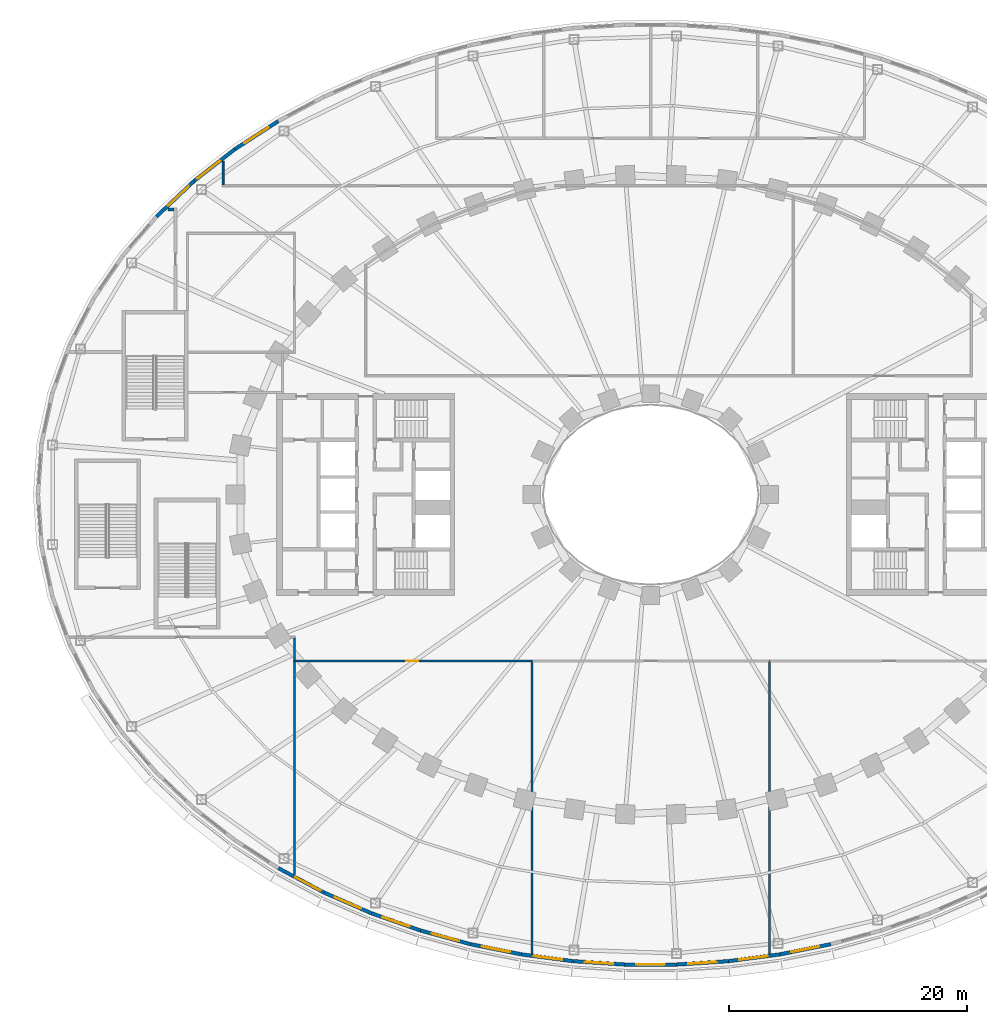
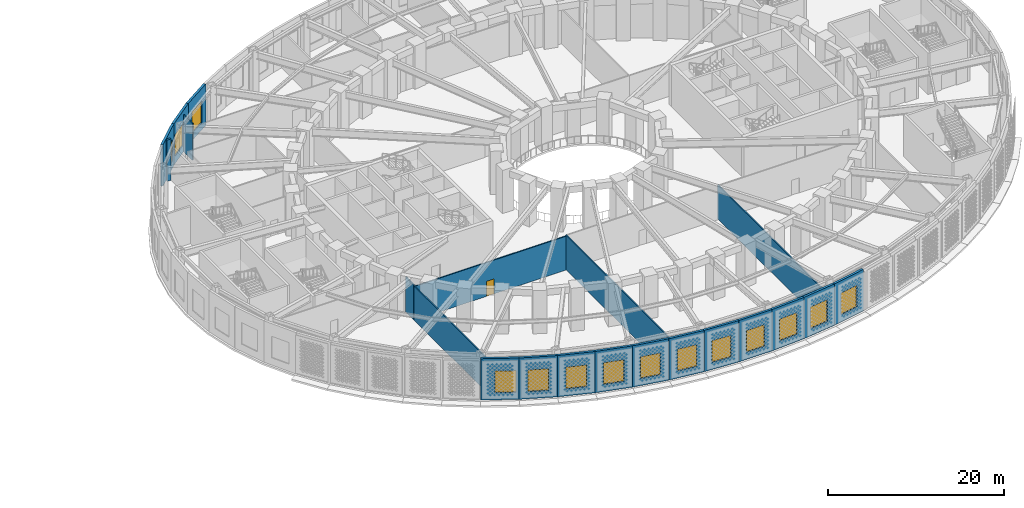
# One storey, part 21 of 74: 21 walls, 14 windows, 1 door, 15 openings.
"""IFC4 building model written with IfcOpenShell, lengths in metres."""

from ifc_helpers import new_model, si_unit, direction, frame, frame_2d, origin, place, context, subcontext, project, spatial, rectangle, extrude, material, layer, layer_set, type_object, element, fill, save


model = new_model("IFC4")

# Units and contexts
model_context = context("Model", 3, precision=1e-05, world=origin(), true_north=direction((0.0, 1.0)))
body_context = subcontext(model_context, "Body", "Model", "MODEL_VIEW")
ifc_project = project(units=[si_unit("LENGTHUNIT", "METRE"), si_unit("AREAUNIT", "SQUARE_METRE"), si_unit("VOLUMEUNIT", "CUBIC_METRE"), si_unit("PLANEANGLEUNIT", "RADIAN"), si_unit("MASSUNIT", "GRAM", prefix="KILO")], contexts=[model_context])

# Site, building, storey
site_placement = place(None, origin())
site = spatial("IfcSite", under=ifc_project, at=site_placement, CompositionType="ELEMENT")
building_placement = place(site_placement, origin())
building = spatial("IfcBuilding", under=site, at=building_placement, Name="Noorbagh Ring Tower", CompositionType="ELEMENT")
storey_placement = place(building_placement, frame((0.0, 0.0, 13.5)))
storey = spatial("IfcBuildingStorey", under=building, at=storey_placement, Name="L02", CompositionType="ELEMENT", Elevation=13.5)

# Wall, opening, window
ifc_material_1 = material(Name="Blockwork faced with red sandstone", Category="masonry")
ifc_layer_1 = layer(ifc_material_1, 0.300048828125)
ifc_layer_set_1 = layer_set([ifc_layer_1], Name="Blockwork faced with red sandstone")
wall_type_1 = type_object("IfcWallType", Name="GND-ENV-WALL", PredefinedType="SOLIDWALL", material=ifc_layer_set_1)
wall_1_placement = place(storey_placement, frame((-31.3515625, 31.448486328125, 0.0), z_axis=(0.0, 0.0, 1.0), x_axis=(-0.840047348843, -0.542513088969, 0.0)))
wall_1 = element("IfcWall", 1, at=wall_1_placement, inside=storey, type_object=wall_type_1, Name="Podium wall", PredefinedType="SOLIDWALL", context=body_context, shape_type="SweptSolid", body=[
    extrude(rectangle(XDim=4.362060546875, YDim=0.300048828125, at=frame_2d((2.18115234375, 0.0))), origin(), (0.0, 0.0, 1.0), 5.75),
])
opening_1_placement = place(wall_1_placement, frame((0.98095703125, 0.0, 1.0)))
opening_1 = element("IfcOpeningElement", 2, at=opening_1_placement, cuts=wall_1, Name="Opening GWN1", PredefinedType="OPENING", context=body_context, shape_type="SweptSolid", body=[
    extrude(rectangle(XDim=2.39990234375, YDim=3.0, at=frame_2d((1.199951171875, 1.5))), frame((0.0, 0.16015625, 0.0), z_axis=(0.0, -1.0, 0.0), x_axis=(1.0, 0.0, 0.0)), (0.0, 0.0, 1.0), 0.320068359375),
])
ifc_material_2 = material(Name="Aluminium and glass", Category="aluminium")
window_type = type_object("IfcWindowType", Name="GND-ENV-WINDOW", PartitioningType="SINGLE_PANEL", PredefinedType="WINDOW", material=ifc_material_2)
window_1_placement = place(opening_1_placement, origin())
window_1 = element("IfcWindow", 3, at=window_1_placement, inside=storey, type_object=window_type, Name="L02 podium window", OverallHeight=3.0, OverallWidth=2.39990234375, PartitioningType="SINGLE_PANEL", PredefinedType="WINDOW", context=body_context, shape_type="SweptSolid", body=[
    extrude(rectangle(XDim=2.39990234375, YDim=3.0, at=frame_2d((1.199951171875, 1.5))), frame((0.0, 0.030029296875, 0.0), z_axis=(0.0, -1.0, 0.0), x_axis=(1.0, 0.0, 0.0)), (0.0, 0.0, 1.0), 0.06005859375),
])
fill(opening_1, window_1)

wall_2_placement = place(storey_placement, frame((-35.015869140625, 29.08203125, 0.0), z_axis=(0.0, 0.0, 1.0), x_axis=(-0.788491985196, -0.615045030288, 0.0)))
wall_2 = element("IfcWall", 4, at=wall_2_placement, inside=storey, type_object=wall_type_1, Name="Podium wall", PredefinedType="SOLIDWALL", context=body_context, shape_type="SweptSolid", body=[
    extrude(rectangle(XDim=4.359375, YDim=0.300048828125, at=frame_2d((2.1796875, 0.0))), origin(), (0.0, 0.0, 1.0), 5.75),
])
opening_2_placement = place(wall_2_placement, frame((1.57958984375, 0.0, 1.0)))
opening_2 = element("IfcOpeningElement", 5, at=opening_2_placement, cuts=wall_2, Name="Opening GWN1", PredefinedType="OPENING", context=body_context, shape_type="SweptSolid", body=[
    extrude(rectangle(XDim=2.39990234375, YDim=3.0, at=frame_2d((1.199951171875, 1.5))), frame((0.0, 0.16015625, 0.0), z_axis=(0.0, -1.0, 0.0), x_axis=(1.0, 0.0, 0.0)), (0.0, 0.0, 1.0), 0.320068359375),
])
window_2_placement = place(opening_2_placement, origin())
window_2 = element("IfcWindow", 6, at=window_2_placement, inside=storey, type_object=window_type, Name="L02 podium window", OverallHeight=3.0, OverallWidth=2.39990234375, PartitioningType="SINGLE_PANEL", PredefinedType="WINDOW", context=body_context, shape_type="SweptSolid", body=[
    extrude(rectangle(XDim=2.39990234375, YDim=3.0, at=frame_2d((1.199951171875, 1.5))), frame((0.0, 0.030029296875, 0.0), z_axis=(0.0, -1.0, 0.0), x_axis=(1.0, 0.0, 0.0)), (0.0, 0.0, 1.0), 0.06005859375),
])
fill(opening_2, window_2)

wall_3_placement = place(storey_placement, frame((-38.453125, 26.40087890625, 0.0), z_axis=(0.0, 0.0, 1.0), x_axis=(-0.72620446032, -0.687478786444, 0.0)))
wall_3 = element("IfcWall", 7, at=wall_3_placement, inside=storey, type_object=wall_type_1, Name="Podium wall", PredefinedType="SOLIDWALL", context=body_context, shape_type="SweptSolid", body=[
    extrude(rectangle(XDim=4.356201171875, YDim=0.300048828125, at=frame_2d((2.17822265625, 0.0))), origin(), (0.0, 0.0, 1.0), 5.75),
])
opening_3_placement = place(wall_3_placement, frame((0.608154296875, 0.0, 1.0)))
opening_3 = element("IfcOpeningElement", 8, at=opening_3_placement, cuts=wall_3, Name="Opening GWN1", PredefinedType="OPENING", context=body_context, shape_type="SweptSolid", body=[
    extrude(rectangle(XDim=2.39990234375, YDim=3.0, at=frame_2d((1.199951171875, 1.5))), frame((0.0, 0.16015625, 0.0), z_axis=(0.0, -1.0, 0.0), x_axis=(1.0, 0.0, 0.0)), (0.0, 0.0, 1.0), 0.320068359375),
])
window_3_placement = place(opening_3_placement, origin())
window_3 = element("IfcWindow", 9, at=window_3_placement, inside=storey, type_object=window_type, Name="L02 podium window", OverallHeight=3.0, OverallWidth=2.39990234375, PartitioningType="SINGLE_PANEL", PredefinedType="WINDOW", context=body_context, shape_type="SweptSolid", body=[
    extrude(rectangle(XDim=2.39990234375, YDim=3.0, at=frame_2d((1.199951171875, 1.5))), frame((0.0, 0.030029296875, 0.0), z_axis=(0.0, -1.0, 0.0), x_axis=(1.0, 0.0, 0.0)), (0.0, 0.0, 1.0), 0.06005859375),
])
fill(opening_3, window_3)

wall_4_placement = place(storey_placement, frame((-31.3515625, -31.448486328125, 0.0), z_axis=(0.0, 0.0, 1.0), x_axis=(0.882159305704, -0.47095112205, 0.0)))
wall_4 = element("IfcWall", 10, at=wall_4_placement, inside=storey, type_object=wall_type_1, Name="Podium wall", PredefinedType="SOLIDWALL", context=body_context, shape_type="SweptSolid", body=[
    extrude(rectangle(XDim=4.364501953125, YDim=0.300048828125, at=frame_2d((2.18212890625, 0.0))), origin(), (0.0, 0.0, 1.0), 5.75),
])
opening_4_placement = place(wall_4_placement, frame((1.622314453125, 0.0, 1.0)))
opening_4 = element("IfcOpeningElement", 11, at=opening_4_placement, cuts=wall_4, Name="Opening GWN1", PredefinedType="OPENING", context=body_context, shape_type="SweptSolid", body=[
    extrude(rectangle(XDim=2.39990234375, YDim=3.0, at=frame_2d((1.199951171875, 1.5))), frame((0.0, 0.16015625, 0.0), z_axis=(0.0, -1.0, 0.0), x_axis=(1.0, 0.0, 0.0)), (0.0, 0.0, 1.0), 0.320068359375),
])
window_4_placement = place(opening_4_placement, origin())
window_4 = element("IfcWindow", 12, at=window_4_placement, inside=storey, type_object=window_type, Name="L02 podium window", OverallHeight=3.0, OverallWidth=2.39990234375, PartitioningType="SINGLE_PANEL", PredefinedType="WINDOW", context=body_context, shape_type="SweptSolid", body=[
    extrude(rectangle(XDim=2.39990234375, YDim=3.0, at=frame_2d((1.199951171875, 1.5))), frame((0.0, 0.030029296875, 0.0), z_axis=(0.0, -1.0, 0.0), x_axis=(1.0, 0.0, 0.0)), (0.0, 0.0, 1.0), 0.06005859375),
])
fill(opening_4, window_4)

wall_5_placement = place(storey_placement, frame((-27.50146484375, -33.50390625, 0.0), z_axis=(0.0, 0.0, 1.0), x_axis=(0.916336904548, -0.400408138483, 0.0)))
wall_5 = element("IfcWall", 13, at=wall_5_placement, inside=storey, type_object=wall_type_1, Name="Podium wall", PredefinedType="SOLIDWALL", context=body_context, shape_type="SweptSolid", body=[
    extrude(rectangle(XDim=4.3662109375, YDim=0.300048828125, at=frame_2d((2.18310546875, 0.0))), origin(), (0.0, 0.0, 1.0), 5.75),
])
opening_5_placement = place(wall_5_placement, frame((0.983154296875, 0.0, 1.0)))
opening_5 = element("IfcOpeningElement", 14, at=opening_5_placement, cuts=wall_5, Name="Opening GWN1", PredefinedType="OPENING", context=body_context, shape_type="SweptSolid", body=[
    extrude(rectangle(XDim=2.39990234375, YDim=3.0, at=frame_2d((1.199951171875, 1.5))), frame((0.0, 0.16015625, 0.0), z_axis=(0.0, -1.0, 0.0), x_axis=(1.0, 0.0, 0.0)), (0.0, 0.0, 1.0), 0.320068359375),
])
window_5_placement = place(opening_5_placement, origin())
window_5 = element("IfcWindow", 15, at=window_5_placement, inside=storey, type_object=window_type, Name="L02 podium window", OverallHeight=3.0, OverallWidth=2.39990234375, PartitioningType="SINGLE_PANEL", PredefinedType="WINDOW", context=body_context, shape_type="SweptSolid", body=[
    extrude(rectangle(XDim=2.39990234375, YDim=3.0, at=frame_2d((1.199951171875, 1.5))), frame((0.0, 0.030029296875, 0.0), z_axis=(0.0, -1.0, 0.0), x_axis=(1.0, 0.0, 0.0)), (0.0, 0.0, 1.0), 0.06005859375),
])
fill(opening_5, window_5)

wall_6_placement = place(storey_placement, frame((-23.50048828125, -35.252197265625, 0.0), z_axis=(0.0, 0.0, 1.0), x_axis=(0.943526738033, -0.331296384853, 0.0)))
wall_6 = element("IfcWall", 16, at=wall_6_placement, inside=storey, type_object=wall_type_1, Name="Podium wall", PredefinedType="SOLIDWALL", context=body_context, shape_type="SweptSolid", body=[
    extrude(rectangle(XDim=4.36767578125, YDim=0.300048828125, at=frame_2d((2.183837890625, 0.0))), origin(), (0.0, 0.0, 1.0), 5.75),
])
opening_6_placement = place(wall_6_placement, frame((0.98388671875, 0.0, 1.0)))
opening_6 = element("IfcOpeningElement", 17, at=opening_6_placement, cuts=wall_6, Name="Opening GWN1", PredefinedType="OPENING", context=body_context, shape_type="SweptSolid", body=[
    extrude(rectangle(XDim=2.39990234375, YDim=3.0, at=frame_2d((1.199951171875, 1.5))), frame((0.0, 0.16015625, 0.0), z_axis=(0.0, -1.0, 0.0), x_axis=(1.0, 0.0, 0.0)), (0.0, 0.0, 1.0), 0.320068359375),
])
window_6_placement = place(opening_6_placement, origin())
window_6 = element("IfcWindow", 18, at=window_6_placement, inside=storey, type_object=window_type, Name="L02 podium window", OverallHeight=3.0, OverallWidth=2.39990234375, PartitioningType="SINGLE_PANEL", PredefinedType="WINDOW", context=body_context, shape_type="SweptSolid", body=[
    extrude(rectangle(XDim=2.39990234375, YDim=3.0, at=frame_2d((1.199951171875, 1.5))), frame((0.0, 0.030029296875, 0.0), z_axis=(0.0, -1.0, 0.0), x_axis=(1.0, 0.0, 0.0)), (0.0, 0.0, 1.0), 0.06005859375),
])
fill(opening_6, window_6)

wall_7_placement = place(storey_placement, frame((-19.37939453125, -36.69921875, 0.0), z_axis=(0.0, 0.0, 1.0), x_axis=(0.964679950239, -0.263424739931, 0.0)))
wall_7 = element("IfcWall", 19, at=wall_7_placement, inside=storey, type_object=wall_type_1, Name="Podium wall", PredefinedType="SOLIDWALL", context=body_context, shape_type="SweptSolid", body=[
    extrude(rectangle(XDim=4.368896484375, YDim=0.300048828125, at=frame_2d((2.1845703125, 0.0))), origin(), (0.0, 0.0, 1.0), 5.75),
])
opening_7_placement = place(wall_7_placement, frame((0.984619140625, 0.0, 1.0)))
opening_7 = element("IfcOpeningElement", 20, at=opening_7_placement, cuts=wall_7, Name="Opening GWN1", PredefinedType="OPENING", context=body_context, shape_type="SweptSolid", body=[
    extrude(rectangle(XDim=2.39990234375, YDim=3.0, at=frame_2d((1.199951171875, 1.5))), frame((0.0, 0.16015625, 0.0), z_axis=(0.0, -1.0, 0.0), x_axis=(1.0, 0.0, 0.0)), (0.0, 0.0, 1.0), 0.320068359375),
])
window_7_placement = place(opening_7_placement, origin())
window_7 = element("IfcWindow", 21, at=window_7_placement, inside=storey, type_object=window_type, Name="L02 podium window", OverallHeight=3.0, OverallWidth=2.39990234375, PartitioningType="SINGLE_PANEL", PredefinedType="WINDOW", context=body_context, shape_type="SweptSolid", body=[
    extrude(rectangle(XDim=2.39990234375, YDim=3.0, at=frame_2d((1.199951171875, 1.5))), frame((0.0, 0.030029296875, 0.0), z_axis=(0.0, -1.0, 0.0), x_axis=(1.0, 0.0, 0.0)), (0.0, 0.0, 1.0), 0.06005859375),
])
fill(opening_7, window_7)

wall_8_placement = place(storey_placement, frame((-2.185546875, -39.564208984375, 0.0), z_axis=(0.0, 0.0, 1.0), x_axis=(1.0, 0.0, 0.0)))
wall_8 = element("IfcWall", 22, at=wall_8_placement, inside=storey, type_object=wall_type_1, Name="Podium wall", PredefinedType="SOLIDWALL", context=body_context, shape_type="SweptSolid", body=[
    extrude(rectangle(XDim=4.37109375, YDim=0.300048828125, at=frame_2d((2.185546875, 0.0))), origin(), (0.0, 0.0, 1.0), 5.75),
])
opening_8_placement = place(wall_8_placement, frame((0.985595703125, 0.0, 1.0)))
opening_8 = element("IfcOpeningElement", 23, at=opening_8_placement, cuts=wall_8, Name="Opening GWN1", PredefinedType="OPENING", context=body_context, shape_type="SweptSolid", body=[
    extrude(rectangle(XDim=2.39990234375, YDim=3.0, at=frame_2d((1.199951171875, 1.5))), frame((0.0, 0.16015625, 0.0), z_axis=(0.0, -1.0, 0.0), x_axis=(1.0, 0.0, 0.0)), (0.0, 0.0, 1.0), 0.320068359375),
])
window_8_placement = place(opening_8_placement, origin())
window_8 = element("IfcWindow", 24, at=window_8_placement, inside=storey, type_object=window_type, Name="L02 podium window", OverallHeight=3.0, OverallWidth=2.39990234375, PartitioningType="SINGLE_PANEL", PredefinedType="WINDOW", context=body_context, shape_type="SweptSolid", body=[
    extrude(rectangle(XDim=2.39990234375, YDim=3.0, at=frame_2d((1.199951171875, 1.5))), frame((0.0, 0.030029296875, 0.0), z_axis=(0.0, -1.0, 0.0), x_axis=(1.0, 0.0, 0.0)), (0.0, 0.0, 1.0), 0.06005859375),
])
fill(opening_8, window_8)

wall_9_placement = place(storey_placement, frame((2.185546875, -39.564208984375, 0.0), z_axis=(0.0, 0.0, 1.0), x_axis=(0.997876871627, 0.065128711577, 0.0)))
wall_9 = element("IfcWall", 25, at=wall_9_placement, inside=storey, type_object=wall_type_1, Name="Podium wall", PredefinedType="SOLIDWALL", context=body_context, shape_type="SweptSolid", body=[
    extrude(rectangle(XDim=4.370849609375, YDim=0.300048828125, at=frame_2d((2.185546875, 0.0))), origin(), (0.0, 0.0, 1.0), 5.75),
])
opening_9_placement = place(wall_9_placement, frame((0.9853515625, 0.0, 1.0)))
opening_9 = element("IfcOpeningElement", 26, at=opening_9_placement, cuts=wall_9, Name="Opening GWN1", PredefinedType="OPENING", context=body_context, shape_type="SweptSolid", body=[
    extrude(rectangle(XDim=2.39990234375, YDim=3.0, at=frame_2d((1.199951171875, 1.5))), frame((0.0, 0.16015625, 0.0), z_axis=(0.0, -1.0, 0.0), x_axis=(1.0, 0.0, 0.0)), (0.0, 0.0, 1.0), 0.320068359375),
])
window_9_placement = place(opening_9_placement, origin())
window_9 = element("IfcWindow", 27, at=window_9_placement, inside=storey, type_object=window_type, Name="L02 podium window", OverallHeight=3.0, OverallWidth=2.39990234375, PartitioningType="SINGLE_PANEL", PredefinedType="WINDOW", context=body_context, shape_type="SweptSolid", body=[
    extrude(rectangle(XDim=2.39990234375, YDim=3.0, at=frame_2d((1.199951171875, 1.5))), frame((0.0, 0.030029296875, 0.0), z_axis=(0.0, -1.0, 0.0), x_axis=(1.0, 0.0, 0.0)), (0.0, 0.0, 1.0), 0.06005859375),
])
fill(opening_9, window_9)

wall_10_placement = place(storey_placement, frame((6.547119140625, -39.279541015625, 0.0), z_axis=(0.0, 0.0, 1.0), x_axis=(0.991441741932, 0.130549884544, 0.0)))
wall_10 = element("IfcWall", 28, at=wall_10_placement, inside=storey, type_object=wall_type_1, Name="Podium wall", PredefinedType="SOLIDWALL", context=body_context, shape_type="SweptSolid", body=[
    extrude(rectangle(XDim=4.370361328125, YDim=0.300048828125, at=frame_2d((2.18505859375, 0.0))), origin(), (0.0, 0.0, 1.0), 5.75),
])
opening_10_placement = place(wall_10_placement, frame((0.92529296875, 0.0, 1.0)))
opening_10 = element("IfcOpeningElement", 29, at=opening_10_placement, cuts=wall_10, Name="Opening GWN1", PredefinedType="OPENING", context=body_context, shape_type="SweptSolid", body=[
    extrude(rectangle(XDim=2.39990234375, YDim=3.0, at=frame_2d((1.199951171875, 1.5))), frame((0.0, 0.16015625, 0.0), z_axis=(0.0, -1.0, 0.0), x_axis=(1.0, 0.0, 0.0)), (0.0, 0.0, 1.0), 0.320068359375),
])
window_10_placement = place(opening_10_placement, origin())
window_10 = element("IfcWindow", 30, at=window_10_placement, inside=storey, type_object=window_type, Name="L02 podium window", OverallHeight=3.0, OverallWidth=2.39990234375, PartitioningType="SINGLE_PANEL", PredefinedType="WINDOW", context=body_context, shape_type="SweptSolid", body=[
    extrude(rectangle(XDim=2.39990234375, YDim=3.0, at=frame_2d((1.199951171875, 1.5))), frame((0.0, 0.030029296875, 0.0), z_axis=(0.0, -1.0, 0.0), x_axis=(1.0, 0.0, 0.0)), (0.0, 0.0, 1.0), 0.06005859375),
])
fill(opening_10, window_10)

wall_11_placement = place(storey_placement, frame((10.880126953125, -38.708984375, 0.0), z_axis=(0.0, 0.0, 1.0), x_axis=(0.980494629762, 0.196545875071, 0.0)))
wall_11 = element("IfcWall", 31, at=wall_11_placement, inside=storey, type_object=wall_type_1, Name="Podium wall", PredefinedType="SOLIDWALL", context=body_context, shape_type="SweptSolid", body=[
    extrude(rectangle(XDim=4.369873046875, YDim=0.300048828125, at=frame_2d((2.18505859375, 0.0))), origin(), (0.0, 0.0, 1.0), 5.75),
])
opening_11_placement = place(wall_11_placement, frame((0.98486328125, 0.0, 1.0)))
opening_11 = element("IfcOpeningElement", 32, at=opening_11_placement, cuts=wall_11, Name="Opening GWN1", PredefinedType="OPENING", context=body_context, shape_type="SweptSolid", body=[
    extrude(rectangle(XDim=2.39990234375, YDim=3.0, at=frame_2d((1.199951171875, 1.5))), frame((0.0, 0.16015625, 0.0), z_axis=(0.0, -1.0, 0.0), x_axis=(1.0, 0.0, 0.0)), (0.0, 0.0, 1.0), 0.320068359375),
])
window_11_placement = place(opening_11_placement, origin())
window_11 = element("IfcWindow", 33, at=window_11_placement, inside=storey, type_object=window_type, Name="L02 podium window", OverallHeight=3.0, OverallWidth=2.39990234375, PartitioningType="SINGLE_PANEL", PredefinedType="WINDOW", context=body_context, shape_type="SweptSolid", body=[
    extrude(rectangle(XDim=2.39990234375, YDim=3.0, at=frame_2d((1.199951171875, 1.5))), frame((0.0, 0.030029296875, 0.0), z_axis=(0.0, -1.0, 0.0), x_axis=(1.0, 0.0, 0.0)), (0.0, 0.0, 1.0), 0.06005859375),
])
fill(opening_11, window_11)

ifc_material_3 = material(Name="Blockwork faced with red sandstone", Category="masonry")
ifc_layer_2 = layer(ifc_material_3, 0.300048828125)
ifc_layer_set_2 = layer_set([ifc_layer_2], Name="Blockwork faced with red sandstone")
wall_type_2 = type_object("IfcWallType", Name="GND-ENV-WALL-EI120", PredefinedType="SOLIDWALL", material=ifc_layer_set_2)
wall_12_placement = place(storey_placement, frame((-15.164794921875, -37.85009765625, 0.0), z_axis=(0.0, 0.0, 1.0), x_axis=(0.980494629762, -0.196545875071, 0.0)))
wall_12 = element("IfcWall", 34, at=wall_12_placement, inside=storey, type_object=wall_type_2, Name="Podium wall", PredefinedType="SOLIDWALL", context=body_context, shape_type="SweptSolid", body=[
    extrude(rectangle(XDim=4.369873046875, YDim=0.300048828125, at=frame_2d((2.18505859375, 0.0))), origin(), (0.0, 0.0, 1.0), 5.75),
])
opening_12_placement = place(wall_12_placement, frame((0.98486328125, 0.0, 1.0)))
opening_12 = element("IfcOpeningElement", 35, at=opening_12_placement, cuts=wall_12, Name="Opening GWN1", PredefinedType="OPENING", context=body_context, shape_type="SweptSolid", body=[
    extrude(rectangle(XDim=2.39990234375, YDim=3.0, at=frame_2d((1.199951171875, 1.5))), frame((0.0, 0.16015625, 0.0), z_axis=(0.0, -1.0, 0.0), x_axis=(1.0, 0.0, 0.0)), (0.0, 0.0, 1.0), 0.320068359375),
])
window_12_placement = place(opening_12_placement, origin())
window_12 = element("IfcWindow", 36, at=window_12_placement, inside=storey, type_object=window_type, Name="L02 podium window", OverallHeight=3.0, OverallWidth=2.39990234375, PartitioningType="SINGLE_PANEL", PredefinedType="WINDOW", context=body_context, shape_type="SweptSolid", body=[
    extrude(rectangle(XDim=2.39990234375, YDim=3.0, at=frame_2d((1.199951171875, 1.5))), frame((0.0, 0.030029296875, 0.0), z_axis=(0.0, -1.0, 0.0), x_axis=(1.0, 0.0, 0.0)), (0.0, 0.0, 1.0), 0.06005859375),
])
fill(opening_12, window_12)

wall_13_placement = place(storey_placement, frame((-10.880126953125, -38.708984375, 0.0), z_axis=(0.0, 0.0, 1.0), x_axis=(0.991441741932, -0.130549884544, 0.0)))
wall_13 = element("IfcWall", 37, at=wall_13_placement, inside=storey, type_object=wall_type_2, Name="Podium wall", PredefinedType="SOLIDWALL", context=body_context, shape_type="SweptSolid", body=[
    extrude(rectangle(XDim=4.370361328125, YDim=0.300048828125, at=frame_2d((2.18505859375, 0.0))), origin(), (0.0, 0.0, 1.0), 5.75),
])
opening_13_placement = place(wall_13_placement, frame((1.045166015625, 0.0, 1.0)))
opening_13 = element("IfcOpeningElement", 38, at=opening_13_placement, cuts=wall_13, Name="Opening GWN1", PredefinedType="OPENING", context=body_context, shape_type="SweptSolid", body=[
    extrude(rectangle(XDim=2.39990234375, YDim=3.0, at=frame_2d((1.199951171875, 1.5))), frame((0.0, 0.16015625, 0.0), z_axis=(0.0, -1.0, 0.0), x_axis=(1.0, 0.0, 0.0)), (0.0, 0.0, 1.0), 0.320068359375),
])
window_13_placement = place(opening_13_placement, origin())
window_13 = element("IfcWindow", 39, at=window_13_placement, inside=storey, type_object=window_type, Name="L02 podium window", OverallHeight=3.0, OverallWidth=2.39990234375, PartitioningType="SINGLE_PANEL", PredefinedType="WINDOW", context=body_context, shape_type="SweptSolid", body=[
    extrude(rectangle(XDim=2.39990234375, YDim=3.0, at=frame_2d((1.199951171875, 1.5))), frame((0.0, 0.030029296875, 0.0), z_axis=(0.0, -1.0, 0.0), x_axis=(1.0, 0.0, 0.0)), (0.0, 0.0, 1.0), 0.06005859375),
])
fill(opening_13, window_13)

wall_14_placement = place(storey_placement, frame((-6.547119140625, -39.279541015625, 0.0), z_axis=(0.0, 0.0, 1.0), x_axis=(0.997876871627, -0.065128711577, 0.0)))
wall_14 = element("IfcWall", 40, at=wall_14_placement, inside=storey, type_object=wall_type_2, Name="Podium wall", PredefinedType="SOLIDWALL", context=body_context, shape_type="SweptSolid", body=[
    extrude(rectangle(XDim=4.370849609375, YDim=0.300048828125, at=frame_2d((2.185546875, 0.0))), origin(), (0.0, 0.0, 1.0), 5.75),
])
opening_14_placement = place(wall_14_placement, frame((0.9853515625, 0.0, 1.0)))
opening_14 = element("IfcOpeningElement", 41, at=opening_14_placement, cuts=wall_14, Name="Opening GWN1", PredefinedType="OPENING", context=body_context, shape_type="SweptSolid", body=[
    extrude(rectangle(XDim=2.39990234375, YDim=3.0, at=frame_2d((1.199951171875, 1.5))), frame((0.0, 0.16015625, 0.0), z_axis=(0.0, -1.0, 0.0), x_axis=(1.0, 0.0, 0.0)), (0.0, 0.0, 1.0), 0.320068359375),
])
window_14_placement = place(opening_14_placement, origin())
window_14 = element("IfcWindow", 42, at=window_14_placement, inside=storey, type_object=window_type, Name="L02 podium window", OverallHeight=3.0, OverallWidth=2.39990234375, PartitioningType="SINGLE_PANEL", PredefinedType="WINDOW", context=body_context, shape_type="SweptSolid", body=[
    extrude(rectangle(XDim=2.39990234375, YDim=3.0, at=frame_2d((1.199951171875, 1.5))), frame((0.0, 0.030029296875, 0.0), z_axis=(0.0, -1.0, 0.0), x_axis=(1.0, 0.0, 0.0)), (0.0, 0.0, 1.0), 0.06005859375),
])
fill(opening_14, window_14)

# Walls
ifc_material_4 = material(Name="Gypsum board on steel studs", Category="steel")
ifc_layer_3 = layer(ifc_material_4, 0.14990234375)
ifc_layer_set_3 = layer_set([ifc_layer_3], Name="Gypsum board on steel studs")
wall_type_3 = type_object("IfcWallType", Name="GND-PART-150", PredefinedType="PARTITIONING", material=ifc_layer_set_3)
wall_15_placement = place(storey_placement, frame((-36.0, 26.074951171875, 0.0), z_axis=(0.0, 0.0, 1.0), x_axis=(0.0, 1.0, 0.0)))
element("IfcWall", 43, at=wall_15_placement, inside=storey, type_object=wall_type_3, Name="L02/wall/P030", PredefinedType="PARTITIONING", context=body_context, shape_type="SweptSolid", body=[
    extrude(rectangle(XDim=1.999267578125, YDim=0.14990234375, at=frame_2d((0.99951171875, 0.0))), origin(), (0.0, 0.0, 1.0), 5.14990234375),
])
wall_16_placement = place(storey_placement, frame((-10.0, -13.925048828125, 0.0), z_axis=(0.0, 0.0, 1.0), x_axis=(0.0, -1.0, 0.0)))
element("IfcWall", 44, at=wall_16_placement, inside=storey, type_object=wall_type_3, Name="L02/wall/P032", PredefinedType="PARTITIONING", context=body_context, shape_type="SweptSolid", body=[
    extrude(rectangle(XDim=24.745849609375, YDim=0.14990234375, at=frame_2d((12.373046875, 0.0))), origin(), (0.0, 0.0, 1.0), 4.800048828125),
])
wall_17_placement = place(storey_placement, frame((-30.0, -31.969970703125, 0.0), z_axis=(0.0, 0.0, 1.0), x_axis=(0.0, 1.0, 0.0)))
element("IfcWall", 45, at=wall_17_placement, inside=storey, type_object=wall_type_3, Name="L02/wall/P033", PredefinedType="PARTITIONING", context=body_context, shape_type="SweptSolid", body=[
    extrude(rectangle(XDim=17.89501953125, YDim=0.14990234375, at=frame_2d((8.947509765625, 0.0))), origin(), (0.0, 0.0, 1.0), 4.75),
])

# Wall, opening, door
wall_18_placement = place(storey_placement, frame((-30.074951171875, -14.0, 0.0), z_axis=(0.0, 0.0, 1.0), x_axis=(1.0, 0.0, 0.0)))
wall_18 = element("IfcWall", 46, at=wall_18_placement, inside=storey, type_object=wall_type_3, Name="L02/wall/P034", PredefinedType="PARTITIONING", context=body_context, shape_type="SweptSolid", body=[
    extrude(rectangle(XDim=20.0, YDim=0.14990234375, at=frame_2d((10.0, 0.0))), origin(), (0.0, 0.0, 1.0), 4.699951171875),
])
opening_15_placement = place(wall_18_placement, frame((9.5, 0.0, 0.0)))
opening_15 = element("IfcOpeningElement", 47, at=opening_15_placement, cuts=wall_18, Name="Opening GD6", PredefinedType="OPENING", context=body_context, shape_type="SweptSolid", body=[
    extrude(rectangle(XDim=1.0, YDim=2.10009765625, at=frame_2d((0.5, 1.050048828125))), frame((0.0, 0.0849609375, 0.0), z_axis=(0.0, -1.0, 0.0), x_axis=(1.0, 0.0, 0.0)), (0.0, 0.0, 1.0), 0.169921875),
])
ifc_material_5 = material(Name="Timber", Category="wood")
door_type = type_object("IfcDoorType", Name="GND-DOOR-HALL", OperationType="SINGLE_SWING_LEFT", PredefinedType="DOOR", material=ifc_material_5)
door_placement = place(opening_15_placement, origin())
door = element("IfcDoor", 48, at=door_placement, inside=storey, type_object=door_type, Name="Conference room 1 door", OperationType="SINGLE_SWING_RIGHT", OverallHeight=2.10009765625, OverallWidth=1.0, PredefinedType="DOOR", context=body_context, shape_type="SweptSolid", body=[
    extrude(rectangle(XDim=1.0, YDim=2.10009765625, at=frame_2d((0.5, 1.050048828125))), frame((0.0, 0.02490234375, 0.0), z_axis=(0.0, -1.0, 0.0), x_axis=(1.0, 0.0, 0.0)), (0.0, 0.0, 1.0), 0.050048828125),
])
fill(opening_15, door)

# Walls
wall_19_placement = place(storey_placement, frame((10.0, -13.925048828125, 0.0), z_axis=(0.0, 0.0, 1.0), x_axis=(0.0, -1.0, 0.0)))
element("IfcWall", 49, at=wall_19_placement, inside=storey, type_object=wall_type_3, Name="L02/wall/P035", PredefinedType="PARTITIONING", context=body_context, shape_type="SweptSolid", body=[
    extrude(rectangle(XDim=24.745849609375, YDim=0.14990234375, at=frame_2d((12.373046875, 0.0))), origin(), (0.0, 0.0, 1.0), 4.75),
])
wall_20_placement = place(storey_placement, frame((-30.0, -12.074951171875, 0.0), z_axis=(0.0, 0.0, 1.0), x_axis=(0.0, -1.0, 0.0)))
element("IfcWall", 50, at=wall_20_placement, inside=storey, type_object=wall_type_3, Name="L02/wall/P039", PredefinedType="PARTITIONING", context=body_context, shape_type="SweptSolid", body=[
    extrude(rectangle(XDim=1.851318359375, YDim=0.14990234375, at=frame_2d((0.92578125, 0.0))), origin(), (0.0, 0.0, 1.0), 4.85009765625),
])
ifc_material_6 = material(Name="Reinforced blockwork", Category="masonry")
ifc_layer_4 = layer(ifc_material_6, 0.25)
ifc_layer_set_4 = layer_set([ifc_layer_4], Name="Reinforced blockwork")
wall_type_4 = type_object("IfcWallType", Name="GND-PART-250", PredefinedType="PARTITIONING", material=ifc_layer_set_4)
wall_21_placement = place(storey_placement, frame((-40.64599609375, 24.0, 0.0), z_axis=(0.0, 0.0, 1.0), x_axis=(1.0, 0.0, 0.0)))
element("IfcWall", 51, at=wall_21_placement, inside=storey, type_object=wall_type_4, Name="L02/wall/P042", PredefinedType="PARTITIONING", context=body_context, shape_type="SweptSolid", body=[
    extrude(rectangle(XDim=0.52099609375, YDim=0.25, at=frame_2d((0.260498046875, 0.0))), origin(), (0.0, 0.0, 1.0), 5.75),
])

save(model, "model.ifc")
